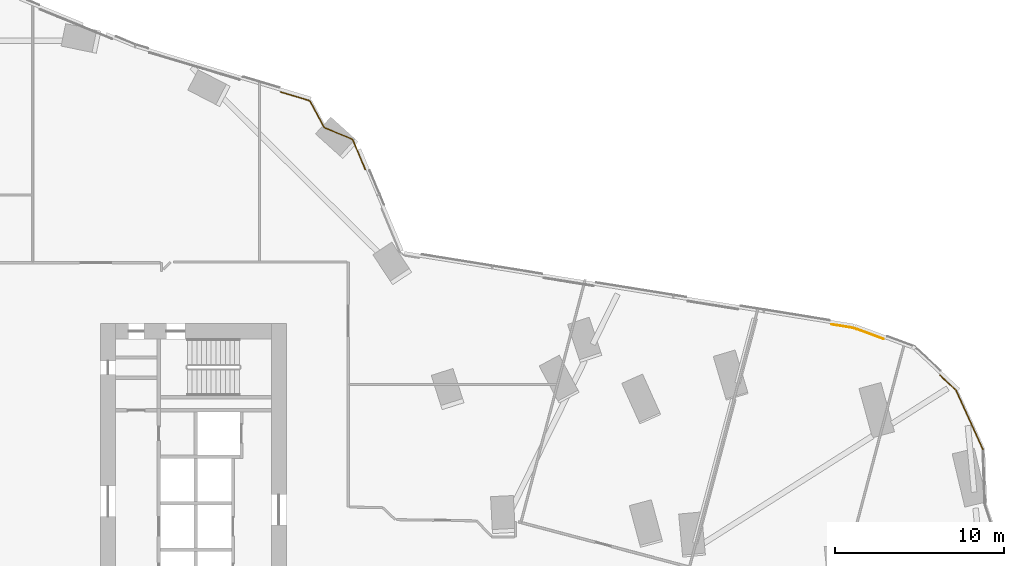
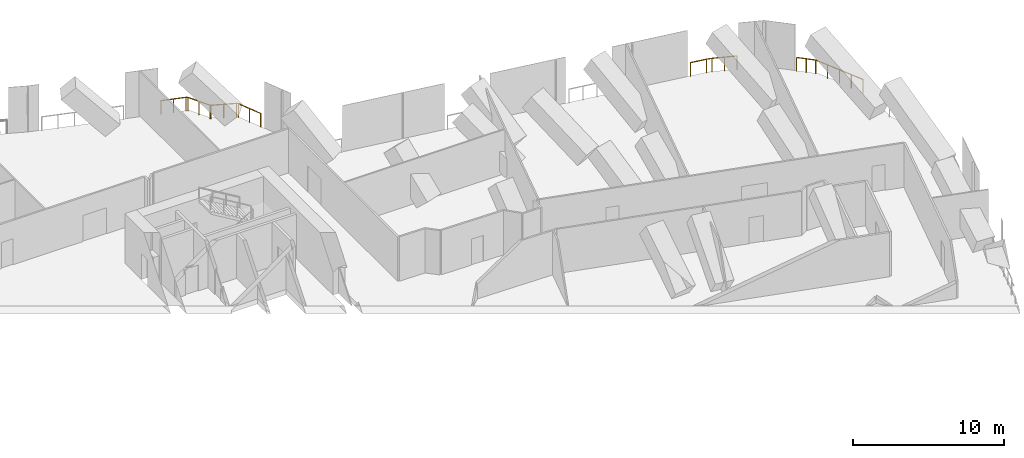
# One storey, part 37 of 37: 3 railings.
"""IFC4 building model written with IfcOpenShell, lengths in metres."""

from ifc_helpers import new_model, si_unit, direction, frame, origin, origin_2d, place, context, subcontext, project, spatial, circle, extrude, material, type_object, element, save


model = new_model("IFC4")

# Units and contexts
model_context = context("Model", 3, precision=1e-05, world=origin(), true_north=direction((0.0, 1.0)))
body_context = subcontext(model_context, "Body", "Model", "MODEL_VIEW")
ifc_project = project(units=[si_unit("LENGTHUNIT", "METRE"), si_unit("AREAUNIT", "SQUARE_METRE"), si_unit("VOLUMEUNIT", "CUBIC_METRE"), si_unit("PLANEANGLEUNIT", "RADIAN"), si_unit("MASSUNIT", "GRAM", prefix="KILO")], contexts=[model_context])

# Site, building, storey
site_placement = place(None, origin())
site = spatial("IfcSite", under=ifc_project, at=site_placement, CompositionType="ELEMENT")
building_placement = place(site_placement, origin())
building = spatial("IfcBuilding", under=site, at=building_placement, Name="Orlundy Tower", CompositionType="ELEMENT")
storey_placement = place(building_placement, frame((0.0, 0.0, 119.699951171875)))
storey = spatial("IfcBuildingStorey", under=building, at=storey_placement, Name="L30", CompositionType="ELEMENT", Elevation=119.699951171875)

# Railings
ifc_material = material(Name="Stainless steel bronze finish", Category="steel")
railing_type = type_object("IfcRailingType", Name="TG1 terrace guard", PredefinedType="GUARDRAIL", material=ifc_material)
railing_1_placement = place(storey_placement, frame((18.662109375, 25.68701171875, 0.0)))
element("IfcRailing", 1, at=railing_1_placement, inside=storey, type_object=railing_type, Name="Guard TG-L30-E02", PredefinedType="GUARDRAIL", context=body_context, shape_type="SweptSolid", body=[
    extrude(circle(Radius=0.02490234375, at=origin_2d()), frame((0.0, 0.0, 1.09521484375), z_axis=(0.957971140068, -0.28686459314, 0.0), x_axis=(0.28686459314, 0.957971140068, 0.0)), (0.0, 0.0, 1.0), 1.71484375),
    extrude(circle(Radius=0.02490234375, at=origin_2d()), frame((1.642822265625, -0.491943359375, 1.09521484375), z_axis=(0.787754909142, -0.615988801134, 0.0), x_axis=(0.615988801134, 0.787754909142, 0.0)), (0.0, 0.0, 1.0), 0.123779296875),
    extrude(circle(Radius=0.02490234375, at=origin_2d()), frame((1.740234375, -0.568115234375, 1.09521484375), z_axis=(0.47473184254, -0.880130489006, 0.0), x_axis=(0.880130489006, 0.47473184254, 0.0)), (0.0, 0.0, 1.0), 1.704345703125),
    extrude(circle(Radius=0.02490234375, at=origin_2d()), frame((2.54931640625, -2.068115234375, 1.09521484375), z_axis=(0.743895297357, -0.668296181772, 0.0), x_axis=(0.668296181772, 0.743895297357, 0.0)), (0.0, 0.0, 1.0), 0.080810546875),
    extrude(circle(Radius=0.02490234375, at=origin_2d()), frame((2.609375, -2.1220703125, 1.09521484375), z_axis=(0.924959594333, -0.380065453377, 0.0), x_axis=(0.380065453377, 0.924959594333, 0.0)), (0.0, 0.0, 1.0), 1.704833984375),
    extrude(circle(Radius=0.02490234375, at=origin_2d()), frame((4.186279296875, -2.77001953125, 1.09521484375), z_axis=(0.693148180478, -0.720795116451, 0.0), x_axis=(0.720795116451, 0.693148180478, 0.0)), (0.0, 0.0, 1.0), 0.12353515625),
    extrude(circle(Radius=0.02490234375, at=origin_2d()), frame((4.27197265625, -2.859130859375, 1.09521484375), z_axis=(0.38540375463, -0.922748040322, 0.0), x_axis=(0.922748040322, 0.38540375463, 0.0)), (0.0, 0.0, 1.0), 1.86865234375),
    extrude(circle(Radius=0.02001953125, at=origin_2d()), origin(), (0.0, 0.0, 1.0), 1.070068359375),
    extrude(circle(Radius=0.02001953125, at=origin_2d()), frame((0.8212890625, -0.24609375, 0.0)), (0.0, 0.0, 1.0), 1.070068359375),
    extrude(circle(Radius=0.02001953125, at=origin_2d()), frame((1.642822265625, -0.491943359375, 0.0)), (0.0, 0.0, 1.0), 1.070068359375),
    extrude(circle(Radius=0.02001953125, at=origin_2d()), frame((1.740234375, -0.568115234375, 0.0)), (0.0, 0.0, 1.0), 1.070068359375),
    extrude(circle(Radius=0.02001953125, at=origin_2d()), frame((2.144775390625, -1.318115234375, 0.0)), (0.0, 0.0, 1.0), 1.070068359375),
    extrude(circle(Radius=0.02001953125, at=origin_2d()), frame((2.54931640625, -2.068115234375, 0.0)), (0.0, 0.0, 1.0), 1.070068359375),
    extrude(circle(Radius=0.02001953125, at=origin_2d()), frame((2.609375, -2.1220703125, 0.0)), (0.0, 0.0, 1.0), 1.070068359375),
    extrude(circle(Radius=0.02001953125, at=origin_2d()), frame((3.39794921875, -2.446044921875, 0.0)), (0.0, 0.0, 1.0), 1.070068359375),
    extrude(circle(Radius=0.02001953125, at=origin_2d()), frame((4.186279296875, -2.77001953125, 0.0)), (0.0, 0.0, 1.0), 1.070068359375),
    extrude(circle(Radius=0.02001953125, at=origin_2d()), frame((4.27197265625, -2.859130859375, 0.0)), (0.0, 0.0, 1.0), 1.070068359375),
    extrude(circle(Radius=0.02001953125, at=origin_2d()), frame((4.632080078125, -3.72119140625, 0.0)), (0.0, 0.0, 1.0), 1.070068359375),
    extrude(circle(Radius=0.02001953125, at=origin_2d()), frame((4.9921875, -4.58349609375, 0.0)), (0.0, 0.0, 1.0), 1.070068359375),
])
railing_2_placement = place(storey_placement, frame((57.61279296875, 8.951416015625, 0.0)))
element("IfcRailing", 2, at=railing_2_placement, inside=storey, type_object=railing_type, Name="Guard TG-L30-E016", PredefinedType="GUARDRAIL", context=body_context, shape_type="SweptSolid", body=[
    extrude(circle(Radius=0.02490234375, at=origin_2d()), frame((0.0, 0.0, 1.09521484375), z_axis=(0.732437875562, -0.680833869929, 0.0), x_axis=(0.680833869929, 0.732437875562, 0.0)), (0.0, 0.0, 1.0), 1.29638671875),
    extrude(circle(Radius=0.02490234375, at=origin_2d()), frame((0.949462890625, -0.882568359375, 1.09521484375), z_axis=(0.414447403434, -0.910073266164, 0.0), x_axis=(0.910073266164, 0.414447403434, 0.0)), (0.0, 0.0, 1.0), 3.8525390625),
    extrude(circle(Radius=0.02001953125, at=origin_2d()), origin(), (0.0, 0.0, 1.0), 1.070068359375),
    extrude(circle(Radius=0.02001953125, at=origin_2d()), frame((0.474609375, -0.44140625, 0.0)), (0.0, 0.0, 1.0), 1.070068359375),
    extrude(circle(Radius=0.02001953125, at=origin_2d()), frame((0.949462890625, -0.882568359375, 0.0)), (0.0, 0.0, 1.0), 1.070068359375),
    extrude(circle(Radius=0.02001953125, at=origin_2d()), frame((1.3486328125, -1.759033203125, 0.0)), (0.0, 0.0, 1.0), 1.070068359375),
    extrude(circle(Radius=0.02001953125, at=origin_2d()), frame((1.747802734375, -2.6357421875, 0.0)), (0.0, 0.0, 1.0), 1.070068359375),
    extrude(circle(Radius=0.02001953125, at=origin_2d()), frame((2.14697265625, -3.51220703125, 0.0)), (0.0, 0.0, 1.0), 1.070068359375),
    extrude(circle(Radius=0.02001953125, at=origin_2d()), frame((2.546142578125, -4.388671875, 0.0)), (0.0, 0.0, 1.0), 1.070068359375),
])
railing_3_placement = place(storey_placement, frame((51.22900390625, 11.951416015625, 0.0)))
element("IfcRailing", 3, at=railing_3_placement, inside=storey, type_object=railing_type, Name="Guard TG-L30-E026", PredefinedType="GUARDRAIL", context=body_context, shape_type="SweptSolid", body=[
    extrude(circle(Radius=0.02490234375, at=origin_2d()), frame((0.0, 0.0, 1.09521484375), z_axis=(0.987233447986, -0.159280002444, 0.0), x_axis=(0.159280002444, 0.987233447986, 0.0)), (0.0, 0.0, 1.0), 1.129638671875),
    extrude(circle(Radius=0.02490234375, at=origin_2d()), frame((1.115234375, -0.179931640625, 1.09521484375), z_axis=(0.966700675351, -0.25590975807, 0.0), x_axis=(0.25590975807, 0.966700675351, 0.0)), (0.0, 0.0, 1.0), 0.39013671875),
    extrude(circle(Radius=0.02490234375, at=origin_2d()), frame((1.492431640625, -0.27978515625, 1.09521484375), z_axis=(0.937162856808, -0.348892218055, 0.0), x_axis=(0.348892218055, 0.937162856808, 0.0)), (0.0, 0.0, 1.0), 1.66748046875),
    extrude(circle(Radius=0.02001953125, at=origin_2d()), origin(), (0.0, 0.0, 1.0), 1.070068359375),
    extrude(circle(Radius=0.02001953125, at=origin_2d()), frame((1.115234375, -0.179931640625, 0.0)), (0.0, 0.0, 1.0), 1.070068359375),
    extrude(circle(Radius=0.02001953125, at=origin_2d()), frame((1.492431640625, -0.27978515625, 0.0)), (0.0, 0.0, 1.0), 1.070068359375),
    extrude(circle(Radius=0.02001953125, at=origin_2d()), frame((2.27392578125, -0.57080078125, 0.0)), (0.0, 0.0, 1.0), 1.070068359375),
    extrude(circle(Radius=0.02001953125, at=origin_2d()), frame((3.05517578125, -0.861572265625, 0.0)), (0.0, 0.0, 1.0), 1.070068359375),
])

save(model, "model.ifc")
